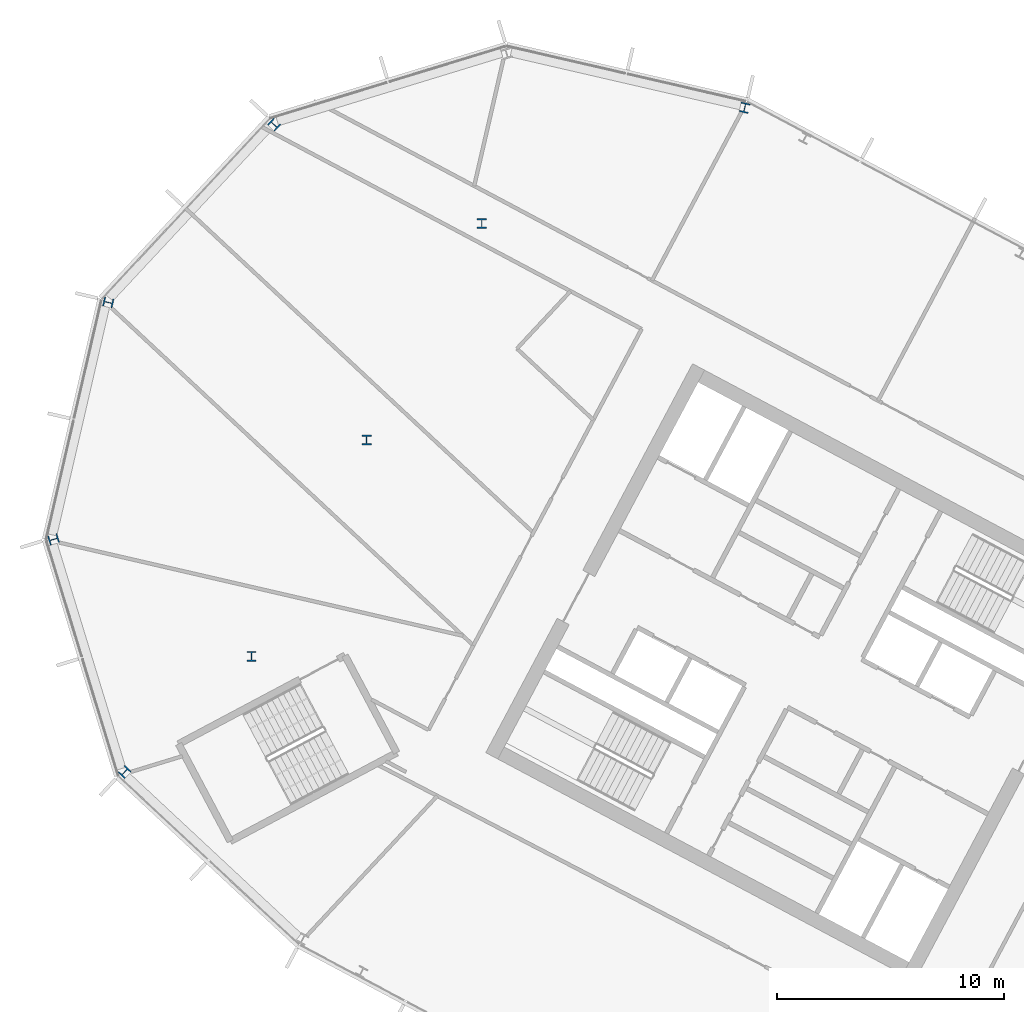
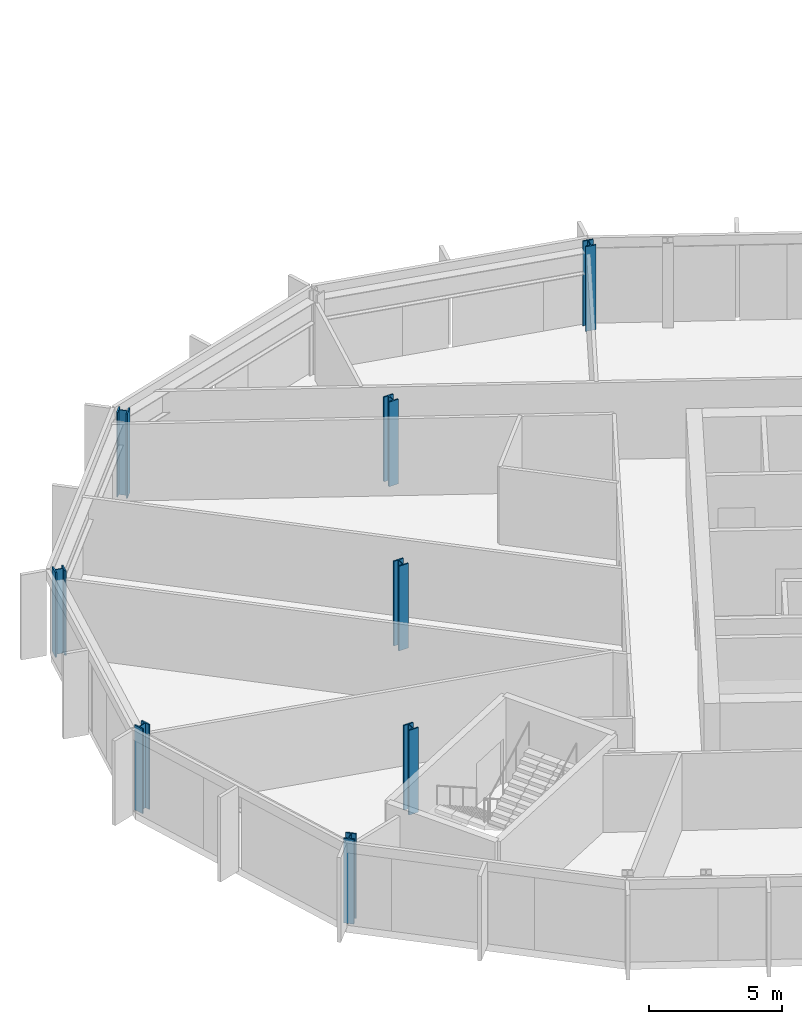
# One storey, part 3 of 26: 8 columns.
"""IFC4 building model written with IfcOpenShell, lengths in metres."""

from ifc_helpers import new_model, si_unit, direction, frame, origin, origin_2d, place, context, subcontext, project, spatial, i_section, extrude, material, material_profile, profile_set, type_object, element, save


model = new_model("IFC4")

# Units and contexts
model_context = context("Model", 3, precision=1e-05, world=origin(), true_north=direction((0.0, 1.0)))
body_context = subcontext(model_context, "Body", "Model", "MODEL_VIEW")
ifc_project = project(units=[si_unit("LENGTHUNIT", "METRE"), si_unit("AREAUNIT", "SQUARE_METRE"), si_unit("VOLUMEUNIT", "CUBIC_METRE"), si_unit("PLANEANGLEUNIT", "RADIAN"), si_unit("MASSUNIT", "GRAM", prefix="KILO")], contexts=[model_context])

# Site, building, storey
site_placement = place(None, origin())
site = spatial("IfcSite", under=ifc_project, at=site_placement, CompositionType="ELEMENT")
building_placement = place(site_placement, origin())
building = spatial("IfcBuilding", under=site, at=building_placement, Name="Cormorant Relay Tower", CompositionType="ELEMENT")
storey_placement = place(building_placement, frame((0.0, 0.0, 220.800048828125)))
storey = spatial("IfcBuildingStorey", under=building, at=storey_placement, Name="L48", CompositionType="ELEMENT", Elevation=220.800048828125)

# Columns
ifc_material = material(Name="Steel ASTM A992 (Fy 345 MPa)", Category="steel")
ifc_material_profile = material_profile(ifc_material, i_section(OverallWidth=0.41162109375, OverallDepth=0.434326171875, WebThickness=0.035888671875, FlangeThickness=0.057373046875, FilletRadius=0.01513671875, at=origin_2d()), Name="W360x463")
ifc_profile_set = profile_set([ifc_material_profile], Name="Steel ASTM A992 (Fy 345 MPa)")
column_type = type_object("IfcColumnType", Name="Column W360x463", PredefinedType="COLUMN", material=ifc_profile_set)
for number, where, z_axis, x_axis, name in (
    (1, (-57.279052734375, 10.162109375, 0.0), (0.0, 0.0, 1.0), (0.731353701619, -0.681998360062, 0.0), "Column L48-022"),
    (2, (-51.68994140625, 15.251953125, 0.0), (0.0, 0.0, 1.0), (1.0, 0.0, 0.0), "Column L48-027"),
    (3, (-60.409912109375, 20.404052734375, 0.0), (0.0, 0.0, 1.0), (0.292371704723, -0.956304755963, 0.0), "Column L48-028"),
    (4, (-46.6201171875, 24.7880859375, 0.0), (0.0, 0.0, 1.0), (1.0, 0.0, 0.0), "Column L48-031"),
    (5, (-58.0009765625, 30.840087890625, 0.0), (0.0, 0.0, 1.0), (-0.224951054344, -0.974370064785, 0.0), "Column L48-034"),
    (6, (-41.549072265625, 34.323974609375, 0.0), (0.0, 0.0, 1.0), (1.0, 0.0, 0.0), "Column L48-038"),
    (7, (-50.697021484375, 38.672119140625, 0.0), (0.0, 0.0, 1.0), (-0.681998360062, -0.731353701619, 0.0), "Column L48-042"),
    (8, (-29.968017578125, 39.4150390625, 0.0), (0.0, 0.0, 1.0), (-0.974370064785, 0.224951054344, 0.0), "Column L48-044"),
):
    element("IfcColumn", number, at=place(storey_placement, frame(where, z_axis=z_axis, x_axis=x_axis)), inside=storey, type_object=column_type, Name=name, PredefinedType="COLUMN", context=body_context, shape_type="SweptSolid", body=[
        extrude(i_section(OverallWidth=0.41162109375, OverallDepth=0.434326171875, WebThickness=0.035888671875, FlangeThickness=0.057373046875, FilletRadius=0.01513671875, at=origin_2d()), origin(), (0.0, 0.0, 1.0), 3.89990234375),
    ])

save(model, "model.ifc")
